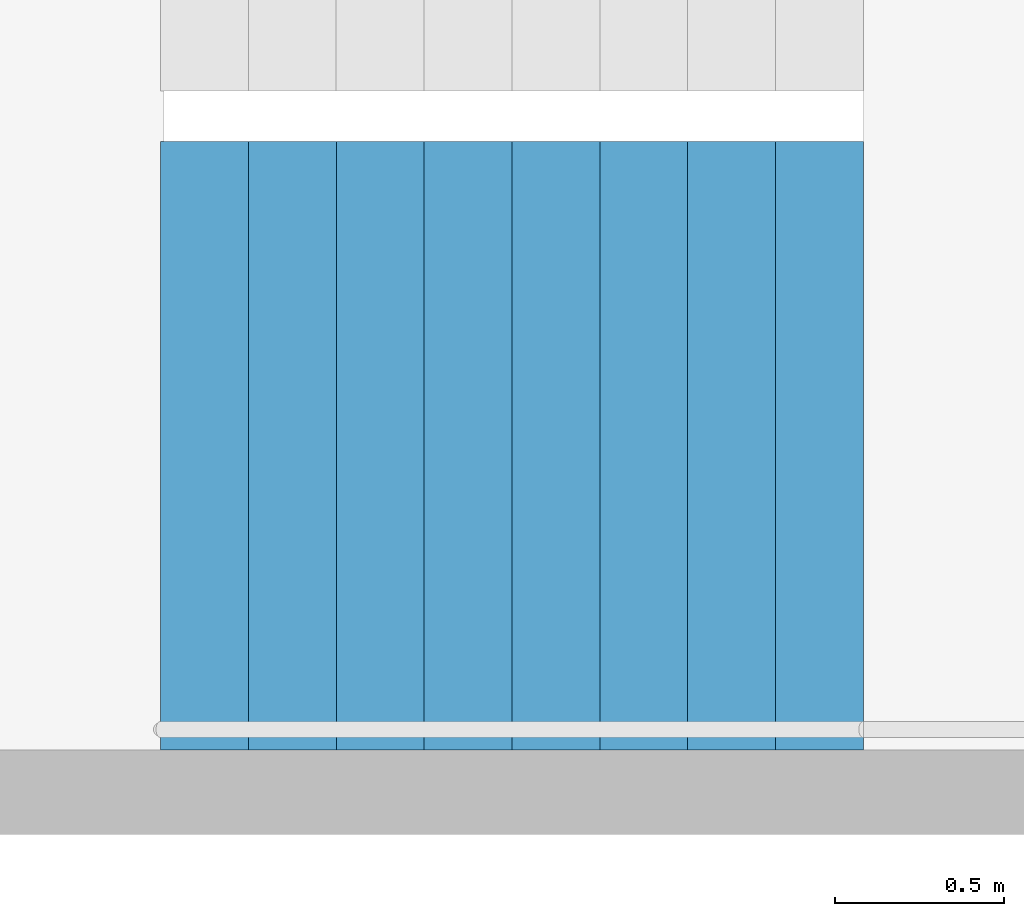
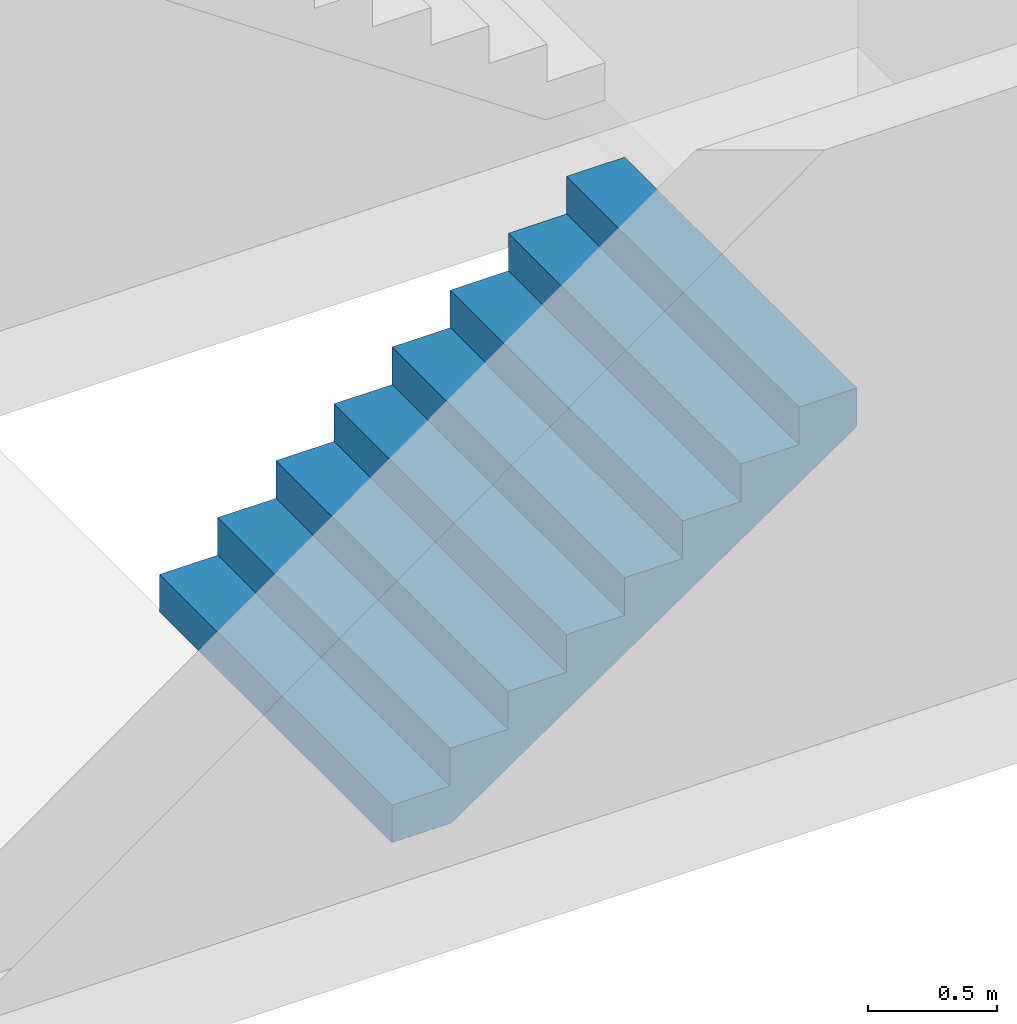
# One storey, part 22 of 34: 1 stair flight, 1 element without a shape of its own.
"""IFC4 building model written with IfcOpenShell, lengths in metres."""

from ifc_helpers import new_model, si_unit, direction, frame, origin, place, context, subcontext, project, spatial, triangles, material, type_object, element, aggregate, save


model = new_model("IFC4")

# Units and contexts
model_context = context("Model", 3, precision=1e-05, world=origin(), true_north=direction((0.0, 1.0)))
body_context = subcontext(model_context, "Body", "Model", "MODEL_VIEW")
ifc_project = project(units=[si_unit("LENGTHUNIT", "METRE"), si_unit("AREAUNIT", "SQUARE_METRE"), si_unit("VOLUMEUNIT", "CUBIC_METRE"), si_unit("PLANEANGLEUNIT", "RADIAN"), si_unit("MASSUNIT", "GRAM", prefix="KILO")], contexts=[model_context])

# Site, building, storey
site_placement = place(None, origin())
site = spatial("IfcSite", under=ifc_project, at=site_placement, CompositionType="ELEMENT")
building_placement = place(site_placement, origin())
building = spatial("IfcBuilding", under=site, at=building_placement, Name="Hakoniwa Tower and Hamabe Station Hall", CompositionType="ELEMENT")
storey_placement = place(building_placement, frame((0.0, 0.0, 107.39990234375)))
storey = spatial("IfcBuildingStorey", under=building, at=storey_placement, Name="L30", CompositionType="ELEMENT", Elevation=107.39990234375)

# Stair, stair flight
ifc_material_1 = material(Name="Concrete C40", Category="concrete")
stair_type = type_object("IfcStairType", Name="ESCAPE STAIR 1800", PredefinedType="HALF_TURN_STAIR", material=ifc_material_1)
stair_placement = place(storey_placement, origin())
stair = element("IfcStair", 1, at=stair_placement, inside=storey, type_object=stair_type, Name="Escape stair ST-1 L30", PredefinedType="HALF_TURN_STAIR")
ifc_material_2 = material(Name="Concrete C40", Category="concrete")
stair_flight_type = type_object("IfcStairFlightType", Name="STAIR FLIGHT 1800", PredefinedType="STRAIGHT", material=ifc_material_2)
stair_flight_placement = place(storey_placement, frame((-24.39990234375, 4.64990234375, 0.0), z_axis=(0.0, 0.0, 1.0), x_axis=(1.0, 0.0, 0.0)))
stair_flight = element("IfcStairFlight", 2, at=stair_flight_placement, type_object=stair_flight_type, Name="ST-1 flight 1", NumberOfRisers=9, NumberOfTreads=8, PredefinedType="STRAIGHT", RiserHeight=0.177777778, TreadLength=0.26, context=body_context, shape_type="Tessellation", body=[
    triangles([(0.0, 0.89990234375, 0.0), (0.260009765625, 0.89990234375, 0.0), (0.265625, 0.89990234375, 0.0), (0.52001953125, 0.89990234375, 0.174072265625), (0.780029296875, 0.89990234375, 0.351806640625), (1.0400390625, 0.89990234375, 0.529541015625), (1.300048828125, 0.89990234375, 0.707275390625), (1.56005859375, 0.89990234375, 0.885009765625), (1.820068359375, 0.89990234375, 1.062744140625), (2.080078125, 0.89990234375, 1.24072265625), (2.080078125, 0.89990234375, 1.422119140625), (1.820068359375, 0.89990234375, 1.422119140625), (1.820068359375, 0.89990234375, 1.244384765625), (1.56005859375, 0.89990234375, 1.244384765625), (1.56005859375, 0.89990234375, 1.066650390625), (1.300048828125, 0.89990234375, 1.066650390625), (1.300048828125, 0.89990234375, 0.888916015625), (1.0400390625, 0.89990234375, 0.888916015625), (1.0400390625, 0.89990234375, 0.711181640625), (0.780029296875, 0.89990234375, 0.711181640625), (0.780029296875, 0.89990234375, 0.533447265625), (0.52001953125, 0.89990234375, 0.533447265625), (0.52001953125, 0.89990234375, 0.35546875), (0.265625, 0.89990234375, 0.35546875), (0.260009765625, 0.89990234375, 0.35546875), (0.260009765625, 0.89990234375, 0.177734375), (0.0, 0.89990234375, 0.177734375), (0.0, 0.06005859375, 0.0), (0.260009765625, 0.06005859375, 0.0), (0.265625, 0.06005859375, 0.0), (0.52001953125, 0.06005859375, 0.174072265625), (0.780029296875, 0.06005859375, 0.351806640625), (1.0400390625, 0.06005859375, 0.529541015625), (1.300048828125, 0.06005859375, 0.707275390625), (1.56005859375, 0.06005859375, 0.885009765625), (1.820068359375, 0.06005859375, 1.062744140625), (2.080078125, 0.06005859375, 1.24072265625), (2.080078125, 0.06005859375, 1.422119140625), (1.820068359375, 0.06005859375, 1.422119140625), (1.820068359375, 0.06005859375, 1.244384765625), (1.56005859375, 0.06005859375, 1.244384765625), (1.56005859375, 0.06005859375, 1.066650390625), (1.300048828125, 0.06005859375, 1.066650390625), (1.300048828125, 0.06005859375, 0.888916015625), (1.0400390625, 0.06005859375, 0.888916015625), (1.0400390625, 0.06005859375, 0.711181640625), (0.780029296875, 0.06005859375, 0.711181640625), (0.780029296875, 0.06005859375, 0.533447265625), (0.52001953125, 0.06005859375, 0.533447265625), (0.52001953125, 0.06005859375, 0.35546875), (0.265625, 0.06005859375, 0.35546875), (0.260009765625, 0.06005859375, 0.35546875), (0.260009765625, 0.06005859375, 0.177734375), (0.0, 0.06005859375, 0.177734375), (0.0, 0.04296875, 0.0), (0.260009765625, 0.04296875, 0.0), (0.265625, 0.04296875, 0.0), (0.52001953125, 0.04296875, 0.174072265625), (0.780029296875, 0.04296875, 0.351806640625), (1.0400390625, 0.04296875, 0.529541015625), (1.300048828125, 0.04296875, 0.707275390625), (1.56005859375, 0.04296875, 0.885009765625), (1.820068359375, 0.04296875, 1.062744140625), (2.080078125, 0.04296875, 1.24072265625), (2.080078125, 0.04296875, 1.422119140625), (1.820068359375, 0.04296875, 1.422119140625), (1.820068359375, 0.04296875, 1.244384765625), (1.56005859375, 0.04296875, 1.244384765625), (1.56005859375, 0.04296875, 1.066650390625), (1.300048828125, 0.04296875, 1.066650390625), (1.300048828125, 0.04296875, 0.888916015625), (1.0400390625, 0.04296875, 0.888916015625), (1.0400390625, 0.04296875, 0.711181640625), (0.780029296875, 0.04296875, 0.711181640625), (0.780029296875, 0.04296875, 0.533447265625), (0.52001953125, 0.04296875, 0.533447265625), (0.52001953125, 0.04296875, 0.35546875), (0.265625, 0.04296875, 0.35546875), (0.260009765625, 0.04296875, 0.35546875), (0.260009765625, 0.04296875, 0.177734375), (0.0, 0.04296875, 0.177734375), (0.0, 0.025634765625, 0.0), (0.260009765625, 0.025634765625, 0.0), (0.265625, 0.025634765625, 0.0), (0.52001953125, 0.025634765625, 0.174072265625), (0.780029296875, 0.025634765625, 0.351806640625), (1.0400390625, 0.025634765625, 0.529541015625), (1.300048828125, 0.025634765625, 0.707275390625), (1.56005859375, 0.025634765625, 0.885009765625), (1.820068359375, 0.025634765625, 1.062744140625), (2.080078125, 0.025634765625, 1.24072265625), (2.080078125, 0.025634765625, 1.422119140625), (1.820068359375, 0.025634765625, 1.422119140625), (1.820068359375, 0.025634765625, 1.244384765625), (1.56005859375, 0.025634765625, 1.244384765625), (1.56005859375, 0.025634765625, 1.066650390625), (1.300048828125, 0.025634765625, 1.066650390625), (1.300048828125, 0.025634765625, 0.888916015625), (1.0400390625, 0.025634765625, 0.888916015625), (1.0400390625, 0.025634765625, 0.711181640625), (0.780029296875, 0.025634765625, 0.711181640625), (0.780029296875, 0.025634765625, 0.533447265625), (0.52001953125, 0.025634765625, 0.533447265625), (0.52001953125, 0.025634765625, 0.35546875), (0.265625, 0.025634765625, 0.35546875), (0.260009765625, 0.025634765625, 0.35546875), (0.260009765625, 0.025634765625, 0.177734375), (0.0, 0.025634765625, 0.177734375), (0.0, 0.008544921875, 0.0), (0.260009765625, 0.008544921875, 0.0), (0.265625, 0.008544921875, 0.0), (0.52001953125, 0.008544921875, 0.174072265625), (0.780029296875, 0.008544921875, 0.351806640625), (1.0400390625, 0.008544921875, 0.529541015625), (1.300048828125, 0.008544921875, 0.707275390625), (1.56005859375, 0.008544921875, 0.885009765625), (1.820068359375, 0.008544921875, 1.062744140625), (2.080078125, 0.008544921875, 1.24072265625), (2.080078125, 0.008544921875, 1.422119140625), (1.820068359375, 0.008544921875, 1.422119140625), (1.820068359375, 0.008544921875, 1.244384765625), (1.56005859375, 0.008544921875, 1.244384765625), (1.56005859375, 0.008544921875, 1.066650390625), (1.300048828125, 0.008544921875, 1.066650390625), (1.300048828125, 0.008544921875, 0.888916015625), (1.0400390625, 0.008544921875, 0.888916015625), (1.0400390625, 0.008544921875, 0.711181640625), (0.780029296875, 0.008544921875, 0.711181640625), (0.780029296875, 0.008544921875, 0.533447265625), (0.52001953125, 0.008544921875, 0.533447265625), (0.52001953125, 0.008544921875, 0.35546875), (0.265625, 0.008544921875, 0.35546875), (0.260009765625, 0.008544921875, 0.35546875), (0.260009765625, 0.008544921875, 0.177734375), (0.0, 0.008544921875, 0.177734375), (0.0, -0.008544921875, 0.0), (0.260009765625, -0.008544921875, 0.0), (0.265625, -0.008544921875, 0.0), (0.52001953125, -0.008544921875, 0.174072265625), (0.780029296875, -0.008544921875, 0.351806640625), (1.0400390625, -0.008544921875, 0.529541015625), (1.300048828125, -0.008544921875, 0.707275390625), (1.56005859375, -0.008544921875, 0.885009765625), (1.820068359375, -0.008544921875, 1.062744140625), (2.080078125, -0.008544921875, 1.24072265625), (2.080078125, -0.008544921875, 1.422119140625), (1.820068359375, -0.008544921875, 1.422119140625), (1.820068359375, -0.008544921875, 1.244384765625), (1.56005859375, -0.008544921875, 1.244384765625), (1.56005859375, -0.008544921875, 1.066650390625), (1.300048828125, -0.008544921875, 1.066650390625), (1.300048828125, -0.008544921875, 0.888916015625), (1.0400390625, -0.008544921875, 0.888916015625), (1.0400390625, -0.008544921875, 0.711181640625), (0.780029296875, -0.008544921875, 0.711181640625), (0.780029296875, -0.008544921875, 0.533447265625), (0.52001953125, -0.008544921875, 0.533447265625), (0.52001953125, -0.008544921875, 0.35546875), (0.265625, -0.008544921875, 0.35546875), (0.260009765625, -0.008544921875, 0.35546875), (0.260009765625, -0.008544921875, 0.177734375), (0.0, -0.008544921875, 0.177734375), (0.0, -0.025634765625, 0.0), (0.260009765625, -0.025634765625, 0.0), (0.265625, -0.025634765625, 0.0), (0.52001953125, -0.025634765625, 0.174072265625), (0.780029296875, -0.025634765625, 0.351806640625), (1.0400390625, -0.025634765625, 0.529541015625), (1.300048828125, -0.025634765625, 0.707275390625), (1.56005859375, -0.025634765625, 0.885009765625), (1.820068359375, -0.025634765625, 1.062744140625), (2.080078125, -0.025634765625, 1.24072265625), (2.080078125, -0.025634765625, 1.422119140625), (1.820068359375, -0.025634765625, 1.422119140625), (1.820068359375, -0.025634765625, 1.244384765625), (1.56005859375, -0.025634765625, 1.244384765625), (1.56005859375, -0.025634765625, 1.066650390625), (1.300048828125, -0.025634765625, 1.066650390625), (1.300048828125, -0.025634765625, 0.888916015625), (1.0400390625, -0.025634765625, 0.888916015625), (1.0400390625, -0.025634765625, 0.711181640625), (0.780029296875, -0.025634765625, 0.711181640625), (0.780029296875, -0.025634765625, 0.533447265625), (0.52001953125, -0.025634765625, 0.533447265625), (0.52001953125, -0.025634765625, 0.35546875), (0.265625, -0.025634765625, 0.35546875), (0.260009765625, -0.025634765625, 0.35546875), (0.260009765625, -0.025634765625, 0.177734375), (0.0, -0.025634765625, 0.177734375), (0.0, -0.04296875, 0.0), (0.260009765625, -0.04296875, 0.0), (0.265625, -0.04296875, 0.0), (0.52001953125, -0.04296875, 0.174072265625), (0.780029296875, -0.04296875, 0.351806640625), (1.0400390625, -0.04296875, 0.529541015625), (1.300048828125, -0.04296875, 0.707275390625), (1.56005859375, -0.04296875, 0.885009765625), (1.820068359375, -0.04296875, 1.062744140625), (2.080078125, -0.04296875, 1.24072265625), (2.080078125, -0.04296875, 1.422119140625), (1.820068359375, -0.04296875, 1.422119140625), (1.820068359375, -0.04296875, 1.244384765625), (1.56005859375, -0.04296875, 1.244384765625), (1.56005859375, -0.04296875, 1.066650390625), (1.300048828125, -0.04296875, 1.066650390625), (1.300048828125, -0.04296875, 0.888916015625), (1.0400390625, -0.04296875, 0.888916015625), (1.0400390625, -0.04296875, 0.711181640625), (0.780029296875, -0.04296875, 0.711181640625), (0.780029296875, -0.04296875, 0.533447265625), (0.52001953125, -0.04296875, 0.533447265625), (0.52001953125, -0.04296875, 0.35546875), (0.265625, -0.04296875, 0.35546875), (0.260009765625, -0.04296875, 0.35546875), (0.260009765625, -0.04296875, 0.177734375), (0.0, -0.04296875, 0.177734375), (0.0, -0.06005859375, 0.0), (0.260009765625, -0.06005859375, 0.0), (0.265625, -0.06005859375, 0.0), (0.52001953125, -0.06005859375, 0.174072265625), (0.780029296875, -0.06005859375, 0.351806640625), (1.0400390625, -0.06005859375, 0.529541015625), (1.300048828125, -0.06005859375, 0.707275390625), (1.56005859375, -0.06005859375, 0.885009765625), (1.820068359375, -0.06005859375, 1.062744140625), (2.080078125, -0.06005859375, 1.24072265625), (2.080078125, -0.06005859375, 1.422119140625), (1.820068359375, -0.06005859375, 1.422119140625), (1.820068359375, -0.06005859375, 1.244384765625), (1.56005859375, -0.06005859375, 1.244384765625), (1.56005859375, -0.06005859375, 1.066650390625), (1.300048828125, -0.06005859375, 1.066650390625), (1.300048828125, -0.06005859375, 0.888916015625), (1.0400390625, -0.06005859375, 0.888916015625), (1.0400390625, -0.06005859375, 0.711181640625), (0.780029296875, -0.06005859375, 0.711181640625), (0.780029296875, -0.06005859375, 0.533447265625), (0.52001953125, -0.06005859375, 0.533447265625), (0.52001953125, -0.06005859375, 0.35546875), (0.265625, -0.06005859375, 0.35546875), (0.260009765625, -0.06005859375, 0.35546875), (0.260009765625, -0.06005859375, 0.177734375), (0.0, -0.06005859375, 0.177734375), (0.0, -0.89990234375, 0.0), (0.260009765625, -0.89990234375, 0.0), (0.265625, -0.89990234375, 0.0), (0.52001953125, -0.89990234375, 0.174072265625), (0.780029296875, -0.89990234375, 0.351806640625), (1.0400390625, -0.89990234375, 0.529541015625), (1.300048828125, -0.89990234375, 0.707275390625), (1.56005859375, -0.89990234375, 0.885009765625), (1.820068359375, -0.89990234375, 1.062744140625), (2.080078125, -0.89990234375, 1.24072265625), (2.080078125, -0.89990234375, 1.422119140625), (1.820068359375, -0.89990234375, 1.422119140625), (1.820068359375, -0.89990234375, 1.244384765625), (1.56005859375, -0.89990234375, 1.244384765625), (1.56005859375, -0.89990234375, 1.066650390625), (1.300048828125, -0.89990234375, 1.066650390625), (1.300048828125, -0.89990234375, 0.888916015625), (1.0400390625, -0.89990234375, 0.888916015625), (1.0400390625, -0.89990234375, 0.711181640625), (0.780029296875, -0.89990234375, 0.711181640625), (0.780029296875, -0.89990234375, 0.533447265625), (0.52001953125, -0.89990234375, 0.533447265625), (0.52001953125, -0.89990234375, 0.35546875), (0.265625, -0.89990234375, 0.35546875), (0.260009765625, -0.89990234375, 0.35546875), (0.260009765625, -0.89990234375, 0.177734375), (0.0, -0.89990234375, 0.177734375)], [[2, 27, 26], [245, 269, 270], [2, 1, 27], [245, 270, 244], [3, 25, 24], [246, 267, 268], [3, 26, 25], [246, 268, 269], [3, 2, 26], [246, 269, 245], [4, 24, 23], [247, 266, 267], [4, 3, 24], [247, 267, 246], [5, 22, 21], [248, 264, 265], [5, 23, 22], [248, 265, 266], [5, 4, 23], [248, 266, 247], [6, 20, 19], [249, 262, 263], [6, 21, 20], [249, 263, 264], [6, 5, 21], [249, 264, 248], [7, 18, 17], [250, 260, 261], [7, 19, 18], [250, 261, 262], [7, 6, 19], [250, 262, 249], [8, 16, 15], [251, 258, 259], [8, 17, 16], [251, 259, 260], [8, 7, 17], [251, 260, 250], [9, 14, 13], [252, 256, 257], [9, 15, 14], [252, 257, 258], [9, 8, 15], [252, 258, 251], [10, 12, 11], [253, 254, 255], [10, 13, 12], [253, 255, 256], [10, 9, 13], [253, 256, 252], [1, 2, 29], [1, 29, 28], [28, 29, 56], [28, 56, 55], [55, 56, 83], [55, 83, 82], [82, 83, 110], [82, 110, 109], [109, 110, 137], [109, 137, 136], [136, 137, 164], [136, 164, 163], [163, 164, 191], [163, 191, 190], [190, 191, 218], [190, 218, 217], [217, 218, 245], [217, 245, 244], [2, 3, 30], [2, 30, 29], [29, 30, 57], [29, 57, 56], [56, 57, 84], [56, 84, 83], [83, 84, 111], [83, 111, 110], [110, 111, 138], [110, 138, 137], [137, 138, 165], [137, 165, 164], [164, 165, 192], [164, 192, 191], [191, 192, 219], [191, 219, 218], [218, 219, 246], [218, 246, 245], [3, 4, 31], [3, 31, 30], [30, 31, 58], [30, 58, 57], [57, 58, 85], [57, 85, 84], [84, 85, 112], [84, 112, 111], [111, 112, 139], [111, 139, 138], [138, 139, 166], [138, 166, 165], [165, 166, 193], [165, 193, 192], [192, 193, 220], [192, 220, 219], [219, 220, 247], [219, 247, 246], [4, 5, 32], [4, 32, 31], [31, 32, 59], [31, 59, 58], [58, 59, 86], [58, 86, 85], [85, 86, 113], [85, 113, 112], [112, 113, 140], [112, 140, 139], [139, 140, 167], [139, 167, 166], [166, 167, 194], [166, 194, 193], [193, 194, 221], [193, 221, 220], [220, 221, 248], [220, 248, 247], [5, 6, 33], [5, 33, 32], [32, 33, 60], [32, 60, 59], [59, 60, 87], [59, 87, 86], [86, 87, 114], [86, 114, 113], [113, 114, 141], [113, 141, 140], [140, 141, 168], [140, 168, 167], [167, 168, 195], [167, 195, 194], [194, 195, 222], [194, 222, 221], [221, 222, 249], [221, 249, 248], [6, 7, 34], [6, 34, 33], [33, 34, 61], [33, 61, 60], [60, 61, 88], [60, 88, 87], [87, 88, 115], [87, 115, 114], [114, 115, 142], [114, 142, 141], [141, 142, 169], [141, 169, 168], [168, 169, 196], [168, 196, 195], [195, 196, 223], [195, 223, 222], [222, 223, 250], [222, 250, 249], [7, 8, 35], [7, 35, 34], [34, 35, 62], [34, 62, 61], [61, 62, 89], [61, 89, 88], [88, 89, 116], [88, 116, 115], [115, 116, 143], [115, 143, 142], [142, 143, 170], [142, 170, 169], [169, 170, 197], [169, 197, 196], [196, 197, 224], [196, 224, 223], [223, 224, 251], [223, 251, 250], [8, 9, 36], [8, 36, 35], [35, 36, 63], [35, 63, 62], [62, 63, 90], [62, 90, 89], [89, 90, 117], [89, 117, 116], [116, 117, 144], [116, 144, 143], [143, 144, 171], [143, 171, 170], [170, 171, 198], [170, 198, 197], [197, 198, 225], [197, 225, 224], [224, 225, 252], [224, 252, 251], [9, 10, 37], [9, 37, 36], [36, 37, 64], [36, 64, 63], [63, 64, 91], [63, 91, 90], [90, 91, 118], [90, 118, 117], [117, 118, 145], [117, 145, 144], [144, 145, 172], [144, 172, 171], [171, 172, 199], [171, 199, 198], [198, 199, 226], [198, 226, 225], [225, 226, 253], [225, 253, 252], [10, 11, 38], [10, 38, 37], [37, 38, 65], [37, 65, 64], [64, 65, 92], [64, 92, 91], [91, 92, 119], [91, 119, 118], [118, 119, 146], [118, 146, 145], [145, 146, 173], [145, 173, 172], [172, 173, 200], [172, 200, 199], [199, 200, 227], [199, 227, 226], [226, 227, 254], [226, 254, 253], [11, 12, 39], [11, 39, 38], [38, 39, 66], [38, 66, 65], [65, 66, 93], [65, 93, 92], [92, 93, 120], [92, 120, 119], [119, 120, 147], [119, 147, 146], [146, 147, 174], [146, 174, 173], [173, 174, 201], [173, 201, 200], [200, 201, 228], [200, 228, 227], [227, 228, 255], [227, 255, 254], [12, 13, 40], [12, 40, 39], [39, 40, 67], [39, 67, 66], [66, 67, 94], [66, 94, 93], [93, 94, 121], [93, 121, 120], [120, 121, 148], [120, 148, 147], [147, 148, 175], [147, 175, 174], [174, 175, 202], [174, 202, 201], [201, 202, 229], [201, 229, 228], [228, 229, 256], [228, 256, 255], [13, 14, 41], [13, 41, 40], [40, 41, 68], [40, 68, 67], [67, 68, 95], [67, 95, 94], [94, 95, 122], [94, 122, 121], [121, 122, 149], [121, 149, 148], [148, 149, 176], [148, 176, 175], [175, 176, 203], [175, 203, 202], [202, 203, 230], [202, 230, 229], [229, 230, 257], [229, 257, 256], [14, 15, 42], [14, 42, 41], [41, 42, 69], [41, 69, 68], [68, 69, 96], [68, 96, 95], [95, 96, 123], [95, 123, 122], [122, 123, 150], [122, 150, 149], [149, 150, 177], [149, 177, 176], [176, 177, 204], [176, 204, 203], [203, 204, 231], [203, 231, 230], [230, 231, 258], [230, 258, 257], [15, 16, 43], [15, 43, 42], [42, 43, 70], [42, 70, 69], [69, 70, 97], [69, 97, 96], [96, 97, 124], [96, 124, 123], [123, 124, 151], [123, 151, 150], [150, 151, 178], [150, 178, 177], [177, 178, 205], [177, 205, 204], [204, 205, 232], [204, 232, 231], [231, 232, 259], [231, 259, 258], [16, 17, 44], [16, 44, 43], [43, 44, 71], [43, 71, 70], [70, 71, 98], [70, 98, 97], [97, 98, 125], [97, 125, 124], [124, 125, 152], [124, 152, 151], [151, 152, 179], [151, 179, 178], [178, 179, 206], [178, 206, 205], [205, 206, 233], [205, 233, 232], [232, 233, 260], [232, 260, 259], [17, 18, 45], [17, 45, 44], [44, 45, 72], [44, 72, 71], [71, 72, 99], [71, 99, 98], [98, 99, 126], [98, 126, 125], [125, 126, 153], [125, 153, 152], [152, 153, 180], [152, 180, 179], [179, 180, 207], [179, 207, 206], [206, 207, 234], [206, 234, 233], [233, 234, 261], [233, 261, 260], [18, 19, 46], [18, 46, 45], [45, 46, 73], [45, 73, 72], [72, 73, 100], [72, 100, 99], [99, 100, 127], [99, 127, 126], [126, 127, 154], [126, 154, 153], [153, 154, 181], [153, 181, 180], [180, 181, 208], [180, 208, 207], [207, 208, 235], [207, 235, 234], [234, 235, 262], [234, 262, 261], [19, 20, 47], [19, 47, 46], [46, 47, 74], [46, 74, 73], [73, 74, 101], [73, 101, 100], [100, 101, 128], [100, 128, 127], [127, 128, 155], [127, 155, 154], [154, 155, 182], [154, 182, 181], [181, 182, 209], [181, 209, 208], [208, 209, 236], [208, 236, 235], [235, 236, 263], [235, 263, 262], [20, 21, 48], [20, 48, 47], [47, 48, 75], [47, 75, 74], [74, 75, 102], [74, 102, 101], [101, 102, 129], [101, 129, 128], [128, 129, 156], [128, 156, 155], [155, 156, 183], [155, 183, 182], [182, 183, 210], [182, 210, 209], [209, 210, 237], [209, 237, 236], [236, 237, 264], [236, 264, 263], [21, 22, 49], [21, 49, 48], [48, 49, 76], [48, 76, 75], [75, 76, 103], [75, 103, 102], [102, 103, 130], [102, 130, 129], [129, 130, 157], [129, 157, 156], [156, 157, 184], [156, 184, 183], [183, 184, 211], [183, 211, 210], [210, 211, 238], [210, 238, 237], [237, 238, 265], [237, 265, 264], [22, 23, 50], [22, 50, 49], [49, 50, 77], [49, 77, 76], [76, 77, 104], [76, 104, 103], [103, 104, 131], [103, 131, 130], [130, 131, 158], [130, 158, 157], [157, 158, 185], [157, 185, 184], [184, 185, 212], [184, 212, 211], [211, 212, 239], [211, 239, 238], [238, 239, 266], [238, 266, 265], [23, 24, 51], [23, 51, 50], [50, 51, 78], [50, 78, 77], [77, 78, 105], [77, 105, 104], [104, 105, 132], [104, 132, 131], [131, 132, 159], [131, 159, 158], [158, 159, 186], [158, 186, 185], [185, 186, 213], [185, 213, 212], [212, 213, 240], [212, 240, 239], [239, 240, 267], [239, 267, 266], [24, 25, 52], [24, 52, 51], [51, 52, 79], [51, 79, 78], [78, 79, 106], [78, 106, 105], [105, 106, 133], [105, 133, 132], [132, 133, 160], [132, 160, 159], [159, 160, 187], [159, 187, 186], [186, 187, 214], [186, 214, 213], [213, 214, 241], [213, 241, 240], [240, 241, 268], [240, 268, 267], [25, 26, 53], [25, 53, 52], [52, 53, 80], [52, 80, 79], [79, 80, 107], [79, 107, 106], [106, 107, 134], [106, 134, 133], [133, 134, 161], [133, 161, 160], [160, 161, 188], [160, 188, 187], [187, 188, 215], [187, 215, 214], [214, 215, 242], [214, 242, 241], [241, 242, 269], [241, 269, 268], [26, 27, 54], [26, 54, 53], [53, 54, 81], [53, 81, 80], [80, 81, 108], [80, 108, 107], [107, 108, 135], [107, 135, 134], [134, 135, 162], [134, 162, 161], [161, 162, 189], [161, 189, 188], [188, 189, 216], [188, 216, 215], [215, 216, 243], [215, 243, 242], [242, 243, 270], [242, 270, 269], [27, 1, 28], [27, 28, 54], [54, 28, 55], [54, 55, 81], [81, 55, 82], [81, 82, 108], [108, 82, 109], [108, 109, 135], [135, 109, 136], [135, 136, 162], [162, 136, 163], [162, 163, 189], [189, 163, 190], [189, 190, 216], [216, 190, 217], [216, 217, 243], [243, 217, 244], [243, 244, 270]], closed=True),
])
aggregate(stair, [stair_flight])

save(model, "model.ifc")
